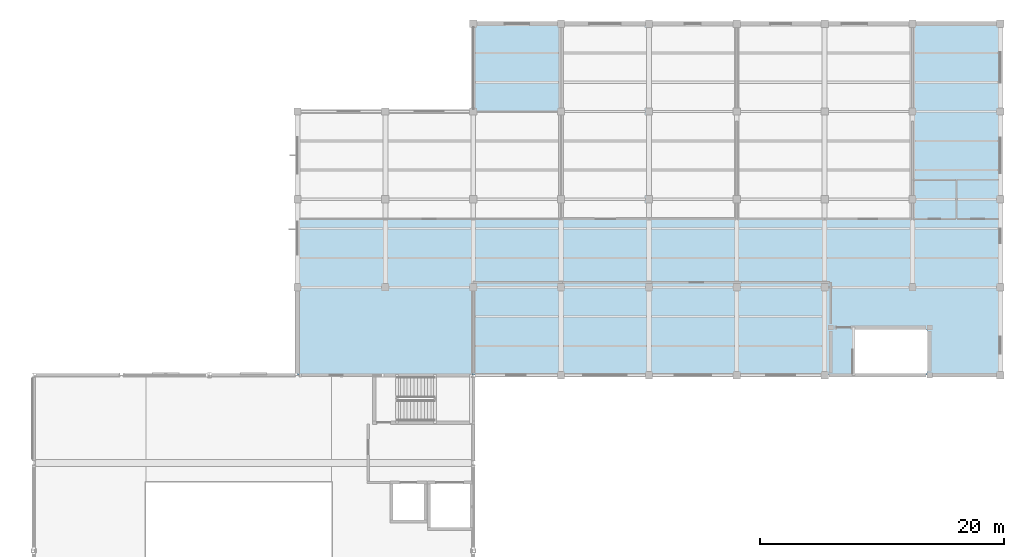
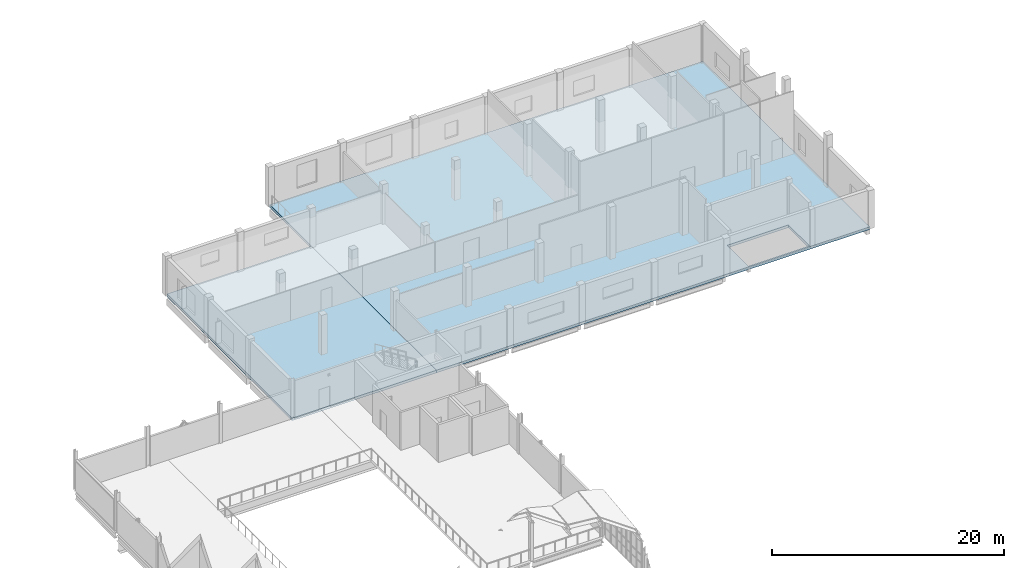
# One storey, part 33 of 48: 2 slabs.
"""IFC4 building model written with IfcOpenShell, lengths in metres."""

import ifcopenshell
import ifcopenshell.guid

model = None  # the IFC model being written
_history = None  # IfcOwnerHistory: only IFC2X3 demands one
_inside = {}  # id of a spatial element -> (the spatial element, [elements in it])
_under = {}  # id of a project, library or spatial element -> (it, [spatial elements below it])
_declared = {}  # id of a project -> (the project, [libraries it declares])
_typed = {}  # id of a type object -> (the type object, [elements of that type])
_made_of = {}  # id of a material, layer set ... -> (it, [elements and type objects made of it])


def new_model(schema):
    """Start an empty IFC model of exactly this schema.

    Asked for "IFC4X3", IfcOpenShell would pick the latest addendum, in which some entities
    have other attributes; the version numbers below select the first issue.
    IFC2X3 requires an IfcOwnerHistory on every rooted entity: one is made here for all.
    """
    global model, _history
    if schema == "IFC4X3":
        model = ifcopenshell.file(schema_version=(4, 3, 0, 0))
    else:
        model = ifcopenshell.file(schema=schema)
    _inside.clear()
    _under.clear()
    _declared.clear()
    _typed.clear()
    _made_of.clear()
    _history = None
    if model.schema == "IFC2X3":
        org = make("IfcOrganization", Name="unknown")
        user = make(
            "IfcPersonAndOrganization",
            ThePerson=make("IfcPerson", FamilyName="unknown"),
            TheOrganization=org,
        )
        app = make(
            "IfcApplication",
            ApplicationDeveloper=org,
            Version="unknown",
            ApplicationFullName="unknown",
            ApplicationIdentifier="unknown",
        )
        _history = make(
            "IfcOwnerHistory",
            OwningUser=user,
            OwningApplication=app,
            ChangeAction="ADDED",
            CreationDate=0,
        )
    return model


def make(cls, **values):
    """One entity of the class cls with the attributes given. An attribute that is None is left unset."""
    return model.create_entity(
        cls, **{name: value for name, value in values.items() if value is not None}
    )


def rooted(cls, **values):
    """An entity with a GlobalId (a new one), such as an element, a storey or a relation."""
    return make(cls, GlobalId=ifcopenshell.guid.new(), OwnerHistory=_history, **values)


def si_unit(unit_type, name, prefix=None):
    """IfcSIUnit, for example si_unit("LENGTHUNIT", "METRE", prefix="MILLI")."""
    return make("IfcSIUnit", UnitType=unit_type, Prefix=prefix, Name=name)


def assignment(units):
    """IfcUnitAssignment: the units of a project."""
    return None if units is None else make("IfcUnitAssignment", Units=units)


def point(xyz):
    """IfcCartesianPoint."""
    return None if xyz is None else make("IfcCartesianPoint", Coordinates=xyz)


def direction(xyz):
    """IfcDirection."""
    return None if xyz is None else make("IfcDirection", DirectionRatios=xyz)


def frame(location, z_axis=None, x_axis=None):
    """IfcAxis2Placement3D, a coordinate frame: its origin and axes. An axis left out is left unset."""
    return make(
        "IfcAxis2Placement3D",
        Location=point(location),
        Axis=direction(z_axis),
        RefDirection=direction(x_axis),
    )


def origin():
    """The frame at (0, 0, 0) with its axes left unset."""
    return frame((0.0, 0.0, 0.0))


def place(relative_to, where):
    """IfcLocalPlacement: puts the frame where relative to a parent placement (None: the world)."""
    return make(
        "IfcLocalPlacement", PlacementRelTo=relative_to, RelativePlacement=where
    )


def context(
    kind, dimensions, precision=None, world=None, true_north=None, identifier=None
):
    """IfcGeometricRepresentationContext, for example the 3D "Model" context."""
    return make(
        "IfcGeometricRepresentationContext",
        ContextIdentifier=identifier,
        ContextType=kind,
        CoordinateSpaceDimension=dimensions,
        Precision=precision,
        WorldCoordinateSystem=world,
        TrueNorth=true_north,
    )


def subcontext(parent, identifier, kind, view, scale=None):
    """IfcGeometricRepresentationSubContext, for example "Body" below "Model"."""
    return make(
        "IfcGeometricRepresentationSubContext",
        ContextIdentifier=identifier,
        ContextType=kind,
        ParentContext=parent,
        TargetScale=scale,
        TargetView=view,
    )


def project(units=None, contexts=None):
    """IfcProject with its units and contexts."""
    return rooted(
        "IfcProject",
        Name="project",
        RepresentationContexts=contexts,
        UnitsInContext=assignment(units),
    )


def spatial(cls, under=None, at=None, **own):
    """A site, building, storey or space (cls), placed at a placement, below another one or the project."""
    s = rooted(cls, ObjectPlacement=at, **own)
    if under is not None:
        _under.setdefault(under.id(), (under, []))[1].append(s)
    return s


def polyline(points):
    """IfcPolyline through the points."""
    return make("IfcPolyline", Points=[point(p) for p in points])


def outline(outer, holes=None, kind="AREA"):
    """IfcArbitraryClosedProfileDef: a profile drawn as a closed curve; with holes, ...WithVoids."""
    if holes is None:
        return make("IfcArbitraryClosedProfileDef", ProfileType=kind, OuterCurve=outer)
    return make(
        "IfcArbitraryProfileDefWithVoids",
        ProfileType=kind,
        OuterCurve=outer,
        InnerCurves=holes,
    )


def extrude(swept, where, along, depth):
    """IfcExtrudedAreaSolid: the profile swept, set in the frame where, extruded along a direction by depth."""
    return make(
        "IfcExtrudedAreaSolid",
        SweptArea=swept,
        Position=where,
        ExtrudedDirection=direction(along),
        Depth=depth,
    )


def shape(context_of_items, identifier, shape_type, items):
    """IfcShapeRepresentation: the items that make up one representation, for example the "Body"."""
    return make(
        "IfcShapeRepresentation",
        ContextOfItems=context_of_items,
        RepresentationIdentifier=identifier,
        RepresentationType=shape_type,
        Items=items,
    )


def material(Name=None, Category=None):
    """IfcMaterial."""
    return make("IfcMaterial", Name=Name, Category=Category)


def layer(
    of_material, thickness, ventilated=None, Name=None, Category=None, Priority=None
):
    """IfcMaterialLayer: one layer of a wall or slab, of a material (None: an air gap)."""
    return make(
        "IfcMaterialLayer",
        Material=of_material,
        LayerThickness=thickness,
        IsVentilated=ventilated,
        Name=Name,
        Category=Category,
        Priority=Priority,
    )


def layer_set(layers, Name=None):
    """IfcMaterialLayerSet."""
    return make("IfcMaterialLayerSet", MaterialLayers=layers, LayerSetName=Name)


def made_of(thing, what):
    """Note that an element or type object is made of a material, layer set ...; save() writes the relation."""
    if what is not None:
        _made_of.setdefault(what.id(), (what, []))[1].append(thing)
    return thing


def type_object(cls, material=None, **own):
    """A type object (cls), such as IfcWallType, which elements share."""
    return made_of(rooted(cls, **own), material)


def element(
    cls,
    number,
    at=None,
    inside=None,
    cuts=None,
    type_object=None,
    material=None,
    context=None,
    identifier="Body",
    shape_type=None,
    held_by="IfcProductDefinitionShape",
    body=None,
    shapes=None,
    **own,
):
    """One element of the class cls, such as IfcWall. Its Tag is "e" and its number.

    at: its placement. inside: the storey or other place that contains it. cuts: it is an
    opening in that element (IfcRelVoidsElement). A single representation is given by context,
    identifier, shape_type and body (its items); several are given by shapes. held_by: the class
    of the entity that holds the representations. save() writes the other relations.
    """
    e = rooted(cls, Tag="e%d" % number, ObjectPlacement=at, **own)
    if body is not None:
        shapes = [shape(context, identifier, shape_type, body)]
    if shapes is not None:
        e.Representation = make(held_by, Representations=shapes)
    if inside is not None:
        _inside.setdefault(inside.id(), (inside, []))[1].append(e)
    if cuts is not None:
        rooted(
            "IfcRelVoidsElement", RelatingBuildingElement=cuts, RelatedOpeningElement=e
        )
    if type_object is not None:
        _typed.setdefault(type_object.id(), (type_object, []))[1].append(e)
    return made_of(e, material)


def aggregate(whole, parts):
    """IfcRelAggregates: a whole, such as a stair, and the parts it consists of."""
    return rooted("IfcRelAggregates", RelatingObject=whole, RelatedObjects=parts)


def save(model, path):
    """Write the relations noted so far, then the file.

    IfcRelAggregates (storeys below a building ...), IfcRelContainedInSpatialStructure (elements
    in a storey), IfcRelDefinesByType, IfcRelAssociatesMaterial and IfcRelDeclares: one each for
    every whole, place, type object, material and project.
    """
    for whole, parts in _under.values():
        aggregate(whole, parts)
    for where, things in _inside.values():
        rooted(
            "IfcRelContainedInSpatialStructure",
            RelatedElements=things,
            RelatingStructure=where,
        )
    for kind, things in _typed.values():
        rooted("IfcRelDefinesByType", RelatedObjects=things, RelatingType=kind)
    for what, things in _made_of.values():
        rooted("IfcRelAssociatesMaterial", RelatedObjects=things, RelatingMaterial=what)
    for by, libraries in _declared.values():
        rooted("IfcRelDeclares", RelatingContext=by, RelatedDefinitions=libraries)
    model.write(path)


model = new_model("IFC4")

# Units and contexts
model_context = context("Model", 3, precision=1e-05, world=origin(), true_north=direction((0.0, 1.0)))
body_context = subcontext(model_context, "Body", "Model", "MODEL_VIEW")
ifc_project = project(units=[si_unit("LENGTHUNIT", "METRE"), si_unit("AREAUNIT", "SQUARE_METRE"), si_unit("VOLUMEUNIT", "CUBIC_METRE"), si_unit("PLANEANGLEUNIT", "RADIAN"), si_unit("MASSUNIT", "GRAM", prefix="KILO"), si_unit("THERMODYNAMICTEMPERATUREUNIT", "KELVIN"), si_unit("POWERUNIT", "WATT")], contexts=[model_context])

# Site, building, storey
site_placement = place(None, origin())
site = spatial("IfcSite", under=ifc_project, at=site_placement, CompositionType="ELEMENT")
building_placement = place(site_placement, origin())
building = spatial("IfcBuilding", under=site, at=building_placement, Name="Kaldorven Railside Theatre", CompositionType="ELEMENT")
storey_placement = place(building_placement, frame((0.0, 0.0, 18.89990234375)))
storey = spatial("IfcBuildingStorey", under=building, at=storey_placement, Name="L04", CompositionType="ELEMENT", Elevation=18.89990234375)

# Slabs
ifc_material = material(Name="Concrete C35/45", Category="concrete")
ifc_layer = layer(ifc_material, 0.280029296875, Name="Concrete C35/45")
ifc_layer_set = layer_set([ifc_layer], Name="Concrete C35/45")
slab_type = type_object("IfcSlabType", Name="SLB-FSL-280", PredefinedType="FLOOR", material=ifc_layer_set)
slab_1_placement = place(storey_placement, frame((0.0, 0.0, -0.27978515625)))
element("IfcSlab", 1, at=slab_1_placement, inside=storey, type_object=slab_type, Name="L04 Floor Slab SL-L04-V6", PredefinedType="FLOOR", context=body_context, shape_type="SweptSolid", body=[
    extrude(outline(polyline([(123.199951171875, 112.800048828125), (166.39990234375, 112.800048828125), (166.39990234375, 141.60009765625), (123.199951171875, 141.60009765625), (123.199951171875, 112.800048828125)]), holes=[polyline([(154.35009765625, 112.949951171875), (160.449951171875, 112.949951171875), (160.449951171875, 116.550048828125), (154.35009765625, 116.550048828125), (154.35009765625, 112.949951171875)])]), origin(), (0.0, 0.0, 1.0), 0.27978515625),
])
slab_2_placement = place(storey_placement, frame((0.0, 0.0, -0.27978515625)))
element("IfcSlab", 2, at=slab_2_placement, inside=storey, type_object=slab_type, Name="L04 Floor Slab SL-L04-V6L", PredefinedType="FLOOR", context=body_context, shape_type="SweptSolid", body=[
    extrude(outline(polyline([(108.800048828125, 112.800048828125), (123.199951171875, 112.800048828125), (123.199951171875, 134.39990234375), (108.800048828125, 134.39990234375), (108.800048828125, 112.800048828125)])), origin(), (0.0, 0.0, 1.0), 0.27978515625),
])

save(model, "model.ifc")
